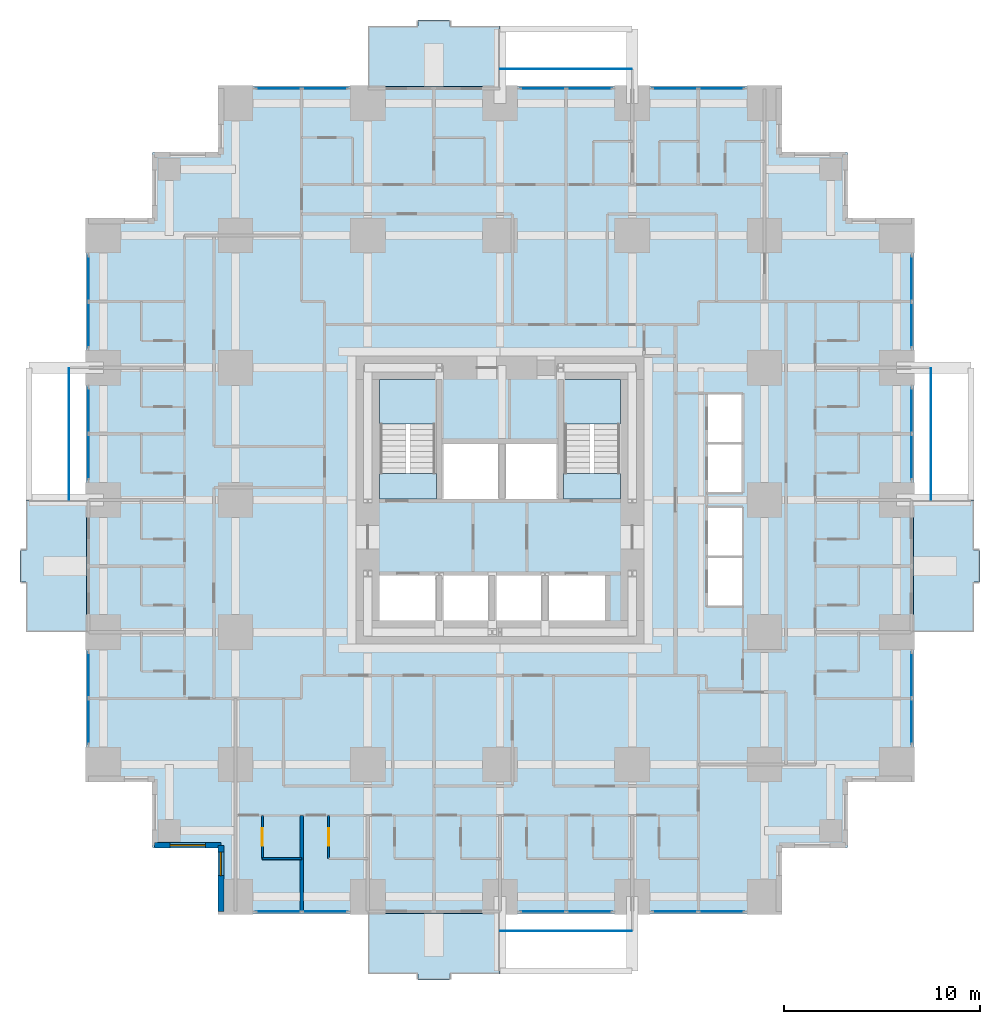
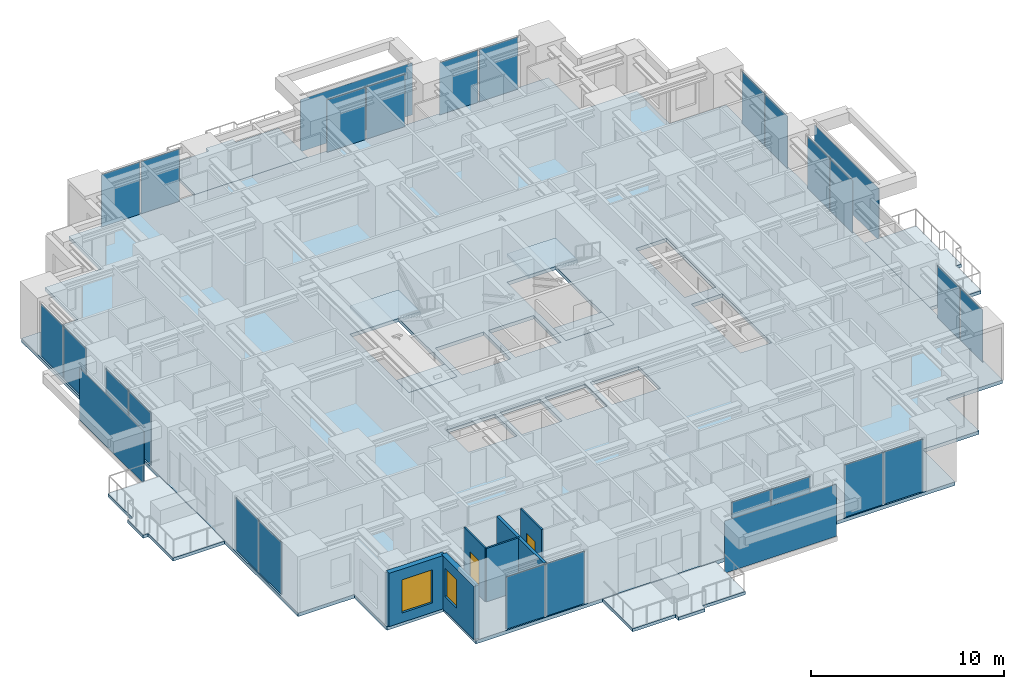
# One storey, part 7 of 15: 28 plates, 9 slabs, 6 walls, 2 doors, 2 windows, 4 openings, 14 elements without a shape of their own.
"""IFC4 building model written with IfcOpenShell, lengths in metres."""

import ifcopenshell
import ifcopenshell.guid

model = None  # the IFC model being written
_history = None  # IfcOwnerHistory: only IFC2X3 demands one
_inside = {}  # id of a spatial element -> (the spatial element, [elements in it])
_under = {}  # id of a project, library or spatial element -> (it, [spatial elements below it])
_declared = {}  # id of a project -> (the project, [libraries it declares])
_typed = {}  # id of a type object -> (the type object, [elements of that type])
_made_of = {}  # id of a material, layer set ... -> (it, [elements and type objects made of it])


def new_model(schema):
    """Start an empty IFC model of exactly this schema.

    Asked for "IFC4X3", IfcOpenShell would pick the latest addendum, in which some entities
    have other attributes; the version numbers below select the first issue.
    IFC2X3 requires an IfcOwnerHistory on every rooted entity: one is made here for all.
    """
    global model, _history
    if schema == "IFC4X3":
        model = ifcopenshell.file(schema_version=(4, 3, 0, 0))
    else:
        model = ifcopenshell.file(schema=schema)
    _inside.clear()
    _under.clear()
    _declared.clear()
    _typed.clear()
    _made_of.clear()
    _history = None
    if model.schema == "IFC2X3":
        org = make("IfcOrganization", Name="unknown")
        user = make(
            "IfcPersonAndOrganization",
            ThePerson=make("IfcPerson", FamilyName="unknown"),
            TheOrganization=org,
        )
        app = make(
            "IfcApplication",
            ApplicationDeveloper=org,
            Version="unknown",
            ApplicationFullName="unknown",
            ApplicationIdentifier="unknown",
        )
        _history = make(
            "IfcOwnerHistory",
            OwningUser=user,
            OwningApplication=app,
            ChangeAction="ADDED",
            CreationDate=0,
        )
    return model


def make(cls, **values):
    """One entity of the class cls with the attributes given. An attribute that is None is left unset."""
    return model.create_entity(
        cls, **{name: value for name, value in values.items() if value is not None}
    )


def rooted(cls, **values):
    """An entity with a GlobalId (a new one), such as an element, a storey or a relation."""
    return make(cls, GlobalId=ifcopenshell.guid.new(), OwnerHistory=_history, **values)


def si_unit(unit_type, name, prefix=None):
    """IfcSIUnit, for example si_unit("LENGTHUNIT", "METRE", prefix="MILLI")."""
    return make("IfcSIUnit", UnitType=unit_type, Prefix=prefix, Name=name)


def assignment(units):
    """IfcUnitAssignment: the units of a project."""
    return None if units is None else make("IfcUnitAssignment", Units=units)


def point(xyz):
    """IfcCartesianPoint."""
    return None if xyz is None else make("IfcCartesianPoint", Coordinates=xyz)


def direction(xyz):
    """IfcDirection."""
    return None if xyz is None else make("IfcDirection", DirectionRatios=xyz)


def frame(location, z_axis=None, x_axis=None):
    """IfcAxis2Placement3D, a coordinate frame: its origin and axes. An axis left out is left unset."""
    return make(
        "IfcAxis2Placement3D",
        Location=point(location),
        Axis=direction(z_axis),
        RefDirection=direction(x_axis),
    )


def frame_2d(location, x_axis=None):
    """IfcAxis2Placement2D, a coordinate frame in the plane: its origin and x axis."""
    return make(
        "IfcAxis2Placement2D", Location=point(location), RefDirection=direction(x_axis)
    )


def origin():
    """The frame at (0, 0, 0) with its axes left unset."""
    return frame((0.0, 0.0, 0.0))


def origin_2d():
    """The frame at (0, 0) in the plane with its x axis left unset."""
    return frame_2d((0.0, 0.0))


def place(relative_to, where):
    """IfcLocalPlacement: puts the frame where relative to a parent placement (None: the world)."""
    return make(
        "IfcLocalPlacement", PlacementRelTo=relative_to, RelativePlacement=where
    )


def context(
    kind, dimensions, precision=None, world=None, true_north=None, identifier=None
):
    """IfcGeometricRepresentationContext, for example the 3D "Model" context."""
    return make(
        "IfcGeometricRepresentationContext",
        ContextIdentifier=identifier,
        ContextType=kind,
        CoordinateSpaceDimension=dimensions,
        Precision=precision,
        WorldCoordinateSystem=world,
        TrueNorth=true_north,
    )


def subcontext(parent, identifier, kind, view, scale=None):
    """IfcGeometricRepresentationSubContext, for example "Body" below "Model"."""
    return make(
        "IfcGeometricRepresentationSubContext",
        ContextIdentifier=identifier,
        ContextType=kind,
        ParentContext=parent,
        TargetScale=scale,
        TargetView=view,
    )


def project(units=None, contexts=None):
    """IfcProject with its units and contexts."""
    return rooted(
        "IfcProject",
        Name="project",
        RepresentationContexts=contexts,
        UnitsInContext=assignment(units),
    )


def spatial(cls, under=None, at=None, **own):
    """A site, building, storey or space (cls), placed at a placement, below another one or the project."""
    s = rooted(cls, ObjectPlacement=at, **own)
    if under is not None:
        _under.setdefault(under.id(), (under, []))[1].append(s)
    return s


def polyline(points):
    """IfcPolyline through the points."""
    return make("IfcPolyline", Points=[point(p) for p in points])


def profile(cls, at=None, kind="AREA", **sizes):
    """A parametric profile (cls). Its sizes go by their IFC names, for example OverallWidth=200.0."""
    return make(cls, ProfileType=kind, Position=at, **sizes)


def rectangle(**sizes):
    """IfcRectangleProfileDef."""
    return profile("IfcRectangleProfileDef", **sizes)


def outline(outer, holes=None, kind="AREA"):
    """IfcArbitraryClosedProfileDef: a profile drawn as a closed curve; with holes, ...WithVoids."""
    if holes is None:
        return make("IfcArbitraryClosedProfileDef", ProfileType=kind, OuterCurve=outer)
    return make(
        "IfcArbitraryProfileDefWithVoids",
        ProfileType=kind,
        OuterCurve=outer,
        InnerCurves=holes,
    )


def extrude(swept, where, along, depth):
    """IfcExtrudedAreaSolid: the profile swept, set in the frame where, extruded along a direction by depth."""
    return make(
        "IfcExtrudedAreaSolid",
        SweptArea=swept,
        Position=where,
        ExtrudedDirection=direction(along),
        Depth=depth,
    )


def shape(context_of_items, identifier, shape_type, items):
    """IfcShapeRepresentation: the items that make up one representation, for example the "Body"."""
    return make(
        "IfcShapeRepresentation",
        ContextOfItems=context_of_items,
        RepresentationIdentifier=identifier,
        RepresentationType=shape_type,
        Items=items,
    )


def material(Name=None, Category=None):
    """IfcMaterial."""
    return make("IfcMaterial", Name=Name, Category=Category)


def layer(
    of_material, thickness, ventilated=None, Name=None, Category=None, Priority=None
):
    """IfcMaterialLayer: one layer of a wall or slab, of a material (None: an air gap)."""
    return make(
        "IfcMaterialLayer",
        Material=of_material,
        LayerThickness=thickness,
        IsVentilated=ventilated,
        Name=Name,
        Category=Category,
        Priority=Priority,
    )


def layer_set(layers, Name=None):
    """IfcMaterialLayerSet."""
    return make("IfcMaterialLayerSet", MaterialLayers=layers, LayerSetName=Name)


def made_of(thing, what):
    """Note that an element or type object is made of a material, layer set ...; save() writes the relation."""
    if what is not None:
        _made_of.setdefault(what.id(), (what, []))[1].append(thing)
    return thing


def type_object(cls, material=None, **own):
    """A type object (cls), such as IfcWallType, which elements share."""
    return made_of(rooted(cls, **own), material)


def element(
    cls,
    number,
    at=None,
    inside=None,
    cuts=None,
    type_object=None,
    material=None,
    context=None,
    identifier="Body",
    shape_type=None,
    held_by="IfcProductDefinitionShape",
    body=None,
    shapes=None,
    **own,
):
    """One element of the class cls, such as IfcWall. Its Tag is "e" and its number.

    at: its placement. inside: the storey or other place that contains it. cuts: it is an
    opening in that element (IfcRelVoidsElement). A single representation is given by context,
    identifier, shape_type and body (its items); several are given by shapes. held_by: the class
    of the entity that holds the representations. save() writes the other relations.
    """
    e = rooted(cls, Tag="e%d" % number, ObjectPlacement=at, **own)
    if body is not None:
        shapes = [shape(context, identifier, shape_type, body)]
    if shapes is not None:
        e.Representation = make(held_by, Representations=shapes)
    if inside is not None:
        _inside.setdefault(inside.id(), (inside, []))[1].append(e)
    if cuts is not None:
        rooted(
            "IfcRelVoidsElement", RelatingBuildingElement=cuts, RelatedOpeningElement=e
        )
    if type_object is not None:
        _typed.setdefault(type_object.id(), (type_object, []))[1].append(e)
    return made_of(e, material)


def fill(opening, filler):
    """IfcRelFillsElement: the door or window that sits in an opening."""
    return rooted(
        "IfcRelFillsElement",
        RelatingOpeningElement=opening,
        RelatedBuildingElement=filler,
    )


def aggregate(whole, parts):
    """IfcRelAggregates: a whole, such as a stair, and the parts it consists of."""
    return rooted("IfcRelAggregates", RelatingObject=whole, RelatedObjects=parts)


def save(model, path):
    """Write the relations noted so far, then the file.

    IfcRelAggregates (storeys below a building ...), IfcRelContainedInSpatialStructure (elements
    in a storey), IfcRelDefinesByType, IfcRelAssociatesMaterial and IfcRelDeclares: one each for
    every whole, place, type object, material and project.
    """
    for whole, parts in _under.values():
        aggregate(whole, parts)
    for where, things in _inside.values():
        rooted(
            "IfcRelContainedInSpatialStructure",
            RelatedElements=things,
            RelatingStructure=where,
        )
    for kind, things in _typed.values():
        rooted("IfcRelDefinesByType", RelatedObjects=things, RelatingType=kind)
    for what, things in _made_of.values():
        rooted("IfcRelAssociatesMaterial", RelatedObjects=things, RelatingMaterial=what)
    for by, libraries in _declared.values():
        rooted("IfcRelDeclares", RelatingContext=by, RelatedDefinitions=libraries)
    model.write(path)


model = new_model("IFC4")

# Units and contexts
model_context = context("Model", 3, precision=1e-05, world=origin(), true_north=direction((0.0, 1.0)))
body_context = subcontext(model_context, "Body", "Model", "MODEL_VIEW")
ifc_project = project(units=[si_unit("LENGTHUNIT", "METRE"), si_unit("AREAUNIT", "SQUARE_METRE"), si_unit("VOLUMEUNIT", "CUBIC_METRE"), si_unit("PLANEANGLEUNIT", "RADIAN"), si_unit("MASSUNIT", "GRAM", prefix="KILO")], contexts=[model_context])

# Site, building, storey
site_placement = place(None, origin())
site = spatial("IfcSite", under=ifc_project, at=site_placement, CompositionType="ELEMENT")
building_placement = place(site_placement, origin())
building = spatial("IfcBuilding", under=site, at=building_placement, Name="Nyansa Garden Tower", CompositionType="ELEMENT")
storey_placement = place(building_placement, frame((0.0, 0.0, 61.199951171875)))
storey = spatial("IfcBuildingStorey", under=building, at=storey_placement, Name="L16", CompositionType="ELEMENT", Elevation=61.199951171875)

# Slabs
ifc_material_1 = material(Name="Concrete C40/50", Category="concrete")
ifc_layer_1 = layer(ifc_material_1, 0.199951171875)
ifc_layer_set_1 = layer_set([ifc_layer_1], Name="Balcony slab BS200")
slab_type_1 = type_object("IfcSlabType", Name="Balcony slab BS200", PredefinedType="FLOOR", material=ifc_layer_set_1)
slab_1_placement = place(storey_placement, frame((0.0, 0.0, -0.239990234375)))
element("IfcSlab", 1, at=slab_1_placement, inside=storey, type_object=slab_type_1, Name="Balcony L16 S", PredefinedType="FLOOR", context=body_context, shape_type="SweptSolid", body=[
    extrude(outline(polyline([(13.5, -0.85009765625), (20.25, -0.85009765625), (20.25, -3.949951171875), (17.675048828125, -3.949951171875), (17.675048828125, -4.25), (16.074951171875, -4.25), (16.074951171875, -3.949951171875), (13.5, -3.949951171875), (13.5, -0.85009765625)])), origin(), (0.0, 0.0, 1.0), 0.199951171875),
])
slab_2_placement = place(storey_placement, frame((0.0, 0.0, -0.239990234375)))
element("IfcSlab", 2, at=slab_2_placement, inside=storey, type_object=slab_type_1, Name="Balcony L16 E", PredefinedType="FLOOR", context=body_context, shape_type="SweptSolid", body=[
    extrude(outline(polyline([(41.35009765625, 13.5), (41.35009765625, 20.25), (44.449951171875, 20.25), (44.449951171875, 17.675048828125), (44.75, 17.675048828125), (44.75, 16.074951171875), (44.449951171875, 16.074951171875), (44.449951171875, 13.5), (41.35009765625, 13.5)])), origin(), (0.0, 0.0, 1.0), 0.199951171875),
])
slab_3_placement = place(storey_placement, frame((0.0, 0.0, -0.239990234375)))
element("IfcSlab", 3, at=slab_3_placement, inside=storey, type_object=slab_type_1, Name="Balcony L16 N", PredefinedType="FLOOR", context=body_context, shape_type="SweptSolid", body=[
    extrude(outline(polyline([(13.5, 41.35009765625), (20.25, 41.35009765625), (20.25, 44.449951171875), (17.675048828125, 44.449951171875), (17.675048828125, 44.75), (16.074951171875, 44.75), (16.074951171875, 44.449951171875), (13.5, 44.449951171875), (13.5, 41.35009765625)])), origin(), (0.0, 0.0, 1.0), 0.199951171875),
])
slab_4_placement = place(storey_placement, frame((0.0, 0.0, -0.239990234375)))
element("IfcSlab", 4, at=slab_4_placement, inside=storey, type_object=slab_type_1, Name="Balcony L16 W", PredefinedType="FLOOR", context=body_context, shape_type="SweptSolid", body=[
    extrude(outline(polyline([(-0.85009765625, 13.5), (-0.85009765625, 20.25), (-3.949951171875, 20.25), (-3.949951171875, 17.675048828125), (-4.25, 17.675048828125), (-4.25, 16.074951171875), (-3.949951171875, 16.074951171875), (-3.949951171875, 13.5), (-0.85009765625, 13.5)])), origin(), (0.0, 0.0, 1.0), 0.199951171875),
])

# Curtain wall, plates
ifc_material_2 = material(Name="Black anodised aluminium, dark tinted double glazing", Category="aluminium")
curtain_wall_type = type_object("IfcCurtainWallType", Name="Inner skin curtain wall ISW-A", PredefinedType="USERDEFINED", material=ifc_material_2)
curtain_wall_1_placement = place(storey_placement, origin())
curtain_wall_1 = element("IfcCurtainWall", 5, at=curtain_wall_1_placement, inside=storey, type_object=curtain_wall_type, Name="Inner skin curtain wall L16 E", ObjectType="UNITISED CURTAIN WALL", PredefinedType="USERDEFINED")
ifc_material_3 = material(Name="Dark tinted laminated double glazing", Category="glass")
ifc_layer_2 = layer(ifc_material_3, 0.031982421875)
ifc_layer_set_2 = layer_set([ifc_layer_2], Name="Dark tinted vision panel VP-A")
plate_type_1 = type_object("IfcPlateType", Name="Dark tinted vision panel VP-A", PredefinedType="CURTAIN_PANEL", material=ifc_layer_set_2)
plate_1_placement = place(storey_placement, frame((41.25, 8.9375, 0.0), z_axis=(0.0, 0.0, 1.0), x_axis=(0.0, 1.0, 0.0)))
plate_1 = element("IfcPlate", 6, at=plate_1_placement, type_object=plate_type_1, Name="ISW-A panel 1", PredefinedType="CURTAIN_PANEL", context=body_context, shape_type="SweptSolid", body=[
    extrude(rectangle(XDim=2.31005859375, YDim=0.031982421875, at=origin_2d()), origin(), (0.0, 0.0, 1.0), 3.31005859375),
])
plate_2_placement = place(storey_placement, frame((41.25, 11.3125, 0.0), z_axis=(0.0, 0.0, 1.0), x_axis=(0.0, 1.0, 0.0)))
plate_2 = element("IfcPlate", 7, at=plate_2_placement, type_object=plate_type_1, Name="ISW-A panel 2", PredefinedType="CURTAIN_PANEL", context=body_context, shape_type="SweptSolid", body=[
    extrude(rectangle(XDim=2.31005859375, YDim=0.031982421875, at=origin_2d()), origin(), (0.0, 0.0, 1.0), 3.31005859375),
])
aggregate(curtain_wall_1, [plate_1, plate_2])

curtain_wall_2_placement = place(storey_placement, origin())
curtain_wall_2 = element("IfcCurtainWall", 8, at=curtain_wall_2_placement, inside=storey, type_object=curtain_wall_type, Name="Inner skin curtain wall L16 E", ObjectType="UNITISED CURTAIN WALL", PredefinedType="USERDEFINED")
plate_3_placement = place(storey_placement, frame((41.25, 22.4375, 0.0), z_axis=(0.0, 0.0, 1.0), x_axis=(0.0, 1.0, 0.0)))
plate_3 = element("IfcPlate", 9, at=plate_3_placement, type_object=plate_type_1, Name="ISW-A panel 1", PredefinedType="CURTAIN_PANEL", context=body_context, shape_type="SweptSolid", body=[
    extrude(rectangle(XDim=2.31005859375, YDim=0.031982421875, at=origin_2d()), origin(), (0.0, 0.0, 1.0), 3.31005859375),
])
plate_4_placement = place(storey_placement, frame((41.25, 24.8125, 0.0), z_axis=(0.0, 0.0, 1.0), x_axis=(0.0, 1.0, 0.0)))
plate_4 = element("IfcPlate", 10, at=plate_4_placement, type_object=plate_type_1, Name="ISW-A panel 2", PredefinedType="CURTAIN_PANEL", context=body_context, shape_type="SweptSolid", body=[
    extrude(rectangle(XDim=2.31005859375, YDim=0.031982421875, at=origin_2d()), origin(), (0.0, 0.0, 1.0), 3.31005859375),
])
aggregate(curtain_wall_2, [plate_3, plate_4])

curtain_wall_3_placement = place(storey_placement, origin())
curtain_wall_3 = element("IfcCurtainWall", 11, at=curtain_wall_3_placement, inside=storey, type_object=curtain_wall_type, Name="Inner skin curtain wall L16 E", ObjectType="UNITISED CURTAIN WALL", PredefinedType="USERDEFINED")
plate_5_placement = place(storey_placement, frame((41.25, 29.1875, 0.0), z_axis=(0.0, 0.0, 1.0), x_axis=(0.0, 1.0, 0.0)))
plate_5 = element("IfcPlate", 12, at=plate_5_placement, type_object=plate_type_1, Name="ISW-A panel 1", PredefinedType="CURTAIN_PANEL", context=body_context, shape_type="SweptSolid", body=[
    extrude(rectangle(XDim=2.31005859375, YDim=0.031982421875, at=origin_2d()), origin(), (0.0, 0.0, 1.0), 3.31005859375),
])
plate_6_placement = place(storey_placement, frame((41.25, 31.5625, 0.0), z_axis=(0.0, 0.0, 1.0), x_axis=(0.0, 1.0, 0.0)))
plate_6 = element("IfcPlate", 13, at=plate_6_placement, type_object=plate_type_1, Name="ISW-A panel 2", PredefinedType="CURTAIN_PANEL", context=body_context, shape_type="SweptSolid", body=[
    extrude(rectangle(XDim=2.31005859375, YDim=0.031982421875, at=origin_2d()), origin(), (0.0, 0.0, 1.0), 3.31005859375),
])
aggregate(curtain_wall_3, [plate_5, plate_6])

curtain_wall_4_placement = place(storey_placement, origin())
curtain_wall_4 = element("IfcCurtainWall", 14, at=curtain_wall_4_placement, inside=storey, type_object=curtain_wall_type, Name="Inner skin curtain wall L16 N", ObjectType="UNITISED CURTAIN WALL", PredefinedType="USERDEFINED")
plate_7_placement = place(storey_placement, frame((11.3125, 41.25, 0.0), z_axis=(0.0, 0.0, 1.0), x_axis=(-1.0, 0.0, 0.0)))
plate_7 = element("IfcPlate", 15, at=plate_7_placement, type_object=plate_type_1, Name="ISW-A panel 1", PredefinedType="CURTAIN_PANEL", context=body_context, shape_type="SweptSolid", body=[
    extrude(rectangle(XDim=2.31005859375, YDim=0.031982421875, at=origin_2d()), origin(), (0.0, 0.0, 1.0), 3.31005859375),
])
plate_8_placement = place(storey_placement, frame((8.9375, 41.25, 0.0), z_axis=(0.0, 0.0, 1.0), x_axis=(-1.0, 0.0, 0.0)))
plate_8 = element("IfcPlate", 16, at=plate_8_placement, type_object=plate_type_1, Name="ISW-A panel 2", PredefinedType="CURTAIN_PANEL", context=body_context, shape_type="SweptSolid", body=[
    extrude(rectangle(XDim=2.31005859375, YDim=0.031982421875, at=origin_2d()), origin(), (0.0, 0.0, 1.0), 3.31005859375),
])
aggregate(curtain_wall_4, [plate_7, plate_8])

curtain_wall_5_placement = place(storey_placement, origin())
curtain_wall_5 = element("IfcCurtainWall", 17, at=curtain_wall_5_placement, inside=storey, type_object=curtain_wall_type, Name="Inner skin curtain wall L16 N", ObjectType="UNITISED CURTAIN WALL", PredefinedType="USERDEFINED")
plate_9_placement = place(storey_placement, frame((31.5625, 41.25, 0.0), z_axis=(0.0, 0.0, 1.0), x_axis=(-1.0, 0.0, 0.0)))
plate_9 = element("IfcPlate", 18, at=plate_9_placement, type_object=plate_type_1, Name="ISW-A panel 1", PredefinedType="CURTAIN_PANEL", context=body_context, shape_type="SweptSolid", body=[
    extrude(rectangle(XDim=2.31005859375, YDim=0.031982421875, at=origin_2d()), origin(), (0.0, 0.0, 1.0), 3.31005859375),
])
plate_10_placement = place(storey_placement, frame((29.1875, 41.25, 0.0), z_axis=(0.0, 0.0, 1.0), x_axis=(-1.0, 0.0, 0.0)))
plate_10 = element("IfcPlate", 19, at=plate_10_placement, type_object=plate_type_1, Name="ISW-A panel 2", PredefinedType="CURTAIN_PANEL", context=body_context, shape_type="SweptSolid", body=[
    extrude(rectangle(XDim=2.31005859375, YDim=0.031982421875, at=origin_2d()), origin(), (0.0, 0.0, 1.0), 3.31005859375),
])
aggregate(curtain_wall_5, [plate_9, plate_10])

curtain_wall_6_placement = place(storey_placement, origin())
curtain_wall_6 = element("IfcCurtainWall", 20, at=curtain_wall_6_placement, inside=storey, type_object=curtain_wall_type, Name="Inner skin curtain wall L16 N", ObjectType="UNITISED CURTAIN WALL", PredefinedType="USERDEFINED")
plate_11_placement = place(storey_placement, frame((24.8125, 41.25, 0.0), z_axis=(0.0, 0.0, 1.0), x_axis=(-1.0, 0.0, 0.0)))
plate_11 = element("IfcPlate", 21, at=plate_11_placement, type_object=plate_type_1, Name="ISW-A panel 1", PredefinedType="CURTAIN_PANEL", context=body_context, shape_type="SweptSolid", body=[
    extrude(rectangle(XDim=2.31005859375, YDim=0.031982421875, at=origin_2d()), origin(), (0.0, 0.0, 1.0), 3.31005859375),
])
plate_12_placement = place(storey_placement, frame((22.4375, 41.25, 0.0), z_axis=(0.0, 0.0, 1.0), x_axis=(-1.0, 0.0, 0.0)))
plate_12 = element("IfcPlate", 22, at=plate_12_placement, type_object=plate_type_1, Name="ISW-A panel 2", PredefinedType="CURTAIN_PANEL", context=body_context, shape_type="SweptSolid", body=[
    extrude(rectangle(XDim=2.31005859375, YDim=0.031982421875, at=origin_2d()), origin(), (0.0, 0.0, 1.0), 3.31005859375),
])
aggregate(curtain_wall_6, [plate_11, plate_12])

curtain_wall_7_placement = place(storey_placement, origin())
curtain_wall_7 = element("IfcCurtainWall", 23, at=curtain_wall_7_placement, inside=storey, type_object=curtain_wall_type, Name="Inner skin curtain wall L16 W", ObjectType="UNITISED CURTAIN WALL", PredefinedType="USERDEFINED")
plate_13_placement = place(storey_placement, frame((-0.75, 11.3125, 0.0), z_axis=(0.0, 0.0, 1.0), x_axis=(0.0, -1.0, 0.0)))
plate_13 = element("IfcPlate", 24, at=plate_13_placement, type_object=plate_type_1, Name="ISW-A panel 1", PredefinedType="CURTAIN_PANEL", context=body_context, shape_type="SweptSolid", body=[
    extrude(rectangle(XDim=2.31005859375, YDim=0.031982421875, at=origin_2d()), origin(), (0.0, 0.0, 1.0), 3.31005859375),
])
plate_14_placement = place(storey_placement, frame((-0.75, 8.9375, 0.0), z_axis=(0.0, 0.0, 1.0), x_axis=(0.0, -1.0, 0.0)))
plate_14 = element("IfcPlate", 25, at=plate_14_placement, type_object=plate_type_1, Name="ISW-A panel 2", PredefinedType="CURTAIN_PANEL", context=body_context, shape_type="SweptSolid", body=[
    extrude(rectangle(XDim=2.31005859375, YDim=0.031982421875, at=origin_2d()), origin(), (0.0, 0.0, 1.0), 3.31005859375),
])
aggregate(curtain_wall_7, [plate_13, plate_14])

curtain_wall_8_placement = place(storey_placement, origin())
curtain_wall_8 = element("IfcCurtainWall", 26, at=curtain_wall_8_placement, inside=storey, type_object=curtain_wall_type, Name="Inner skin curtain wall L16 W", ObjectType="UNITISED CURTAIN WALL", PredefinedType="USERDEFINED")
plate_15_placement = place(storey_placement, frame((-0.75, 31.5625, 0.0), z_axis=(0.0, 0.0, 1.0), x_axis=(0.0, -1.0, 0.0)))
plate_15 = element("IfcPlate", 27, at=plate_15_placement, type_object=plate_type_1, Name="ISW-A panel 1", PredefinedType="CURTAIN_PANEL", context=body_context, shape_type="SweptSolid", body=[
    extrude(rectangle(XDim=2.31005859375, YDim=0.031982421875, at=origin_2d()), origin(), (0.0, 0.0, 1.0), 3.31005859375),
])
plate_16_placement = place(storey_placement, frame((-0.75, 29.1875, 0.0), z_axis=(0.0, 0.0, 1.0), x_axis=(0.0, -1.0, 0.0)))
plate_16 = element("IfcPlate", 28, at=plate_16_placement, type_object=plate_type_1, Name="ISW-A panel 2", PredefinedType="CURTAIN_PANEL", context=body_context, shape_type="SweptSolid", body=[
    extrude(rectangle(XDim=2.31005859375, YDim=0.031982421875, at=origin_2d()), origin(), (0.0, 0.0, 1.0), 3.31005859375),
])
aggregate(curtain_wall_8, [plate_15, plate_16])

curtain_wall_9_placement = place(storey_placement, origin())
curtain_wall_9 = element("IfcCurtainWall", 29, at=curtain_wall_9_placement, inside=storey, type_object=curtain_wall_type, Name="Inner skin curtain wall L16 W", ObjectType="UNITISED CURTAIN WALL", PredefinedType="USERDEFINED")
plate_17_placement = place(storey_placement, frame((-0.75, 24.8125, 0.0), z_axis=(0.0, 0.0, 1.0), x_axis=(0.0, -1.0, 0.0)))
plate_17 = element("IfcPlate", 30, at=plate_17_placement, type_object=plate_type_1, Name="ISW-A panel 1", PredefinedType="CURTAIN_PANEL", context=body_context, shape_type="SweptSolid", body=[
    extrude(rectangle(XDim=2.31005859375, YDim=0.031982421875, at=origin_2d()), origin(), (0.0, 0.0, 1.0), 3.31005859375),
])
plate_18_placement = place(storey_placement, frame((-0.75, 22.4375, 0.0), z_axis=(0.0, 0.0, 1.0), x_axis=(0.0, -1.0, 0.0)))
plate_18 = element("IfcPlate", 31, at=plate_18_placement, type_object=plate_type_1, Name="ISW-A panel 2", PredefinedType="CURTAIN_PANEL", context=body_context, shape_type="SweptSolid", body=[
    extrude(rectangle(XDim=2.31005859375, YDim=0.031982421875, at=origin_2d()), origin(), (0.0, 0.0, 1.0), 3.31005859375),
])
aggregate(curtain_wall_9, [plate_17, plate_18])

curtain_wall_10_placement = place(storey_placement, origin())
curtain_wall_10 = element("IfcCurtainWall", 32, at=curtain_wall_10_placement, inside=storey, type_object=curtain_wall_type, Name="Inner skin curtain wall L16 S", ObjectType="UNITISED CURTAIN WALL", PredefinedType="USERDEFINED")
plate_19_placement = place(storey_placement, frame((8.9375, -0.75, 0.0), z_axis=(0.0, 0.0, 1.0), x_axis=(1.0, 0.0, 0.0)))
plate_19 = element("IfcPlate", 33, at=plate_19_placement, type_object=plate_type_1, Name="ISW-A panel 1", PredefinedType="CURTAIN_PANEL", context=body_context, shape_type="SweptSolid", body=[
    extrude(rectangle(XDim=2.31005859375, YDim=0.031982421875, at=origin_2d()), origin(), (0.0, 0.0, 1.0), 3.31005859375),
])
plate_20_placement = place(storey_placement, frame((11.3125, -0.75, 0.0), z_axis=(0.0, 0.0, 1.0), x_axis=(1.0, 0.0, 0.0)))
plate_20 = element("IfcPlate", 34, at=plate_20_placement, type_object=plate_type_1, Name="ISW-A panel 2", PredefinedType="CURTAIN_PANEL", context=body_context, shape_type="SweptSolid", body=[
    extrude(rectangle(XDim=2.31005859375, YDim=0.031982421875, at=origin_2d()), origin(), (0.0, 0.0, 1.0), 3.31005859375),
])
aggregate(curtain_wall_10, [plate_19, plate_20])

curtain_wall_11_placement = place(storey_placement, origin())
curtain_wall_11 = element("IfcCurtainWall", 35, at=curtain_wall_11_placement, inside=storey, type_object=curtain_wall_type, Name="Inner skin curtain wall L16 S", ObjectType="UNITISED CURTAIN WALL", PredefinedType="USERDEFINED")
plate_21_placement = place(storey_placement, frame((22.4375, -0.75, 0.0), z_axis=(0.0, 0.0, 1.0), x_axis=(1.0, 0.0, 0.0)))
plate_21 = element("IfcPlate", 36, at=plate_21_placement, type_object=plate_type_1, Name="ISW-A panel 1", PredefinedType="CURTAIN_PANEL", context=body_context, shape_type="SweptSolid", body=[
    extrude(rectangle(XDim=2.31005859375, YDim=0.031982421875, at=origin_2d()), origin(), (0.0, 0.0, 1.0), 3.31005859375),
])
plate_22_placement = place(storey_placement, frame((24.8125, -0.75, 0.0), z_axis=(0.0, 0.0, 1.0), x_axis=(1.0, 0.0, 0.0)))
plate_22 = element("IfcPlate", 37, at=plate_22_placement, type_object=plate_type_1, Name="ISW-A panel 2", PredefinedType="CURTAIN_PANEL", context=body_context, shape_type="SweptSolid", body=[
    extrude(rectangle(XDim=2.31005859375, YDim=0.031982421875, at=origin_2d()), origin(), (0.0, 0.0, 1.0), 3.31005859375),
])
aggregate(curtain_wall_11, [plate_21, plate_22])

curtain_wall_12_placement = place(storey_placement, origin())
curtain_wall_12 = element("IfcCurtainWall", 38, at=curtain_wall_12_placement, inside=storey, type_object=curtain_wall_type, Name="Inner skin curtain wall L16 S", ObjectType="UNITISED CURTAIN WALL", PredefinedType="USERDEFINED")
plate_23_placement = place(storey_placement, frame((29.1875, -0.75, 0.0), z_axis=(0.0, 0.0, 1.0), x_axis=(1.0, 0.0, 0.0)))
plate_23 = element("IfcPlate", 39, at=plate_23_placement, type_object=plate_type_1, Name="ISW-A panel 1", PredefinedType="CURTAIN_PANEL", context=body_context, shape_type="SweptSolid", body=[
    extrude(rectangle(XDim=2.31005859375, YDim=0.031982421875, at=origin_2d()), origin(), (0.0, 0.0, 1.0), 3.31005859375),
])
plate_24_placement = place(storey_placement, frame((31.5625, -0.75, 0.0), z_axis=(0.0, 0.0, 1.0), x_axis=(1.0, 0.0, 0.0)))
plate_24 = element("IfcPlate", 40, at=plate_24_placement, type_object=plate_type_1, Name="ISW-A panel 2", PredefinedType="CURTAIN_PANEL", context=body_context, shape_type="SweptSolid", body=[
    extrude(rectangle(XDim=2.31005859375, YDim=0.031982421875, at=origin_2d()), origin(), (0.0, 0.0, 1.0), 3.31005859375),
])
aggregate(curtain_wall_12, [plate_23, plate_24])

# Slab
ifc_material_4 = material(Name="Concrete C40/50", Category="concrete")
ifc_layer_3 = layer(ifc_material_4, 0.22509765625)
ifc_layer_set_3 = layer_set([ifc_layer_3], Name="Floor slab FS225")
slab_type_2 = type_object("IfcSlabType", Name="Floor slab FS225", PredefinedType="FLOOR", material=ifc_layer_set_3)
slab_5_placement = place(storey_placement, frame((0.0, 0.0, -0.224853515625)))
element("IfcSlab", 41, at=slab_5_placement, inside=storey, type_object=slab_type_2, Name="Floor slab L16", PredefinedType="FLOOR", context=body_context, shape_type="SweptSolid", body=[
    extrude(outline(polyline([(41.35009765625, 5.89990234375), (37.97509765625, 5.89990234375), (37.97509765625, 2.52490234375), (34.60009765625, 2.52490234375), (34.60009765625, -0.85009765625), (5.89990234375, -0.85009765625), (5.89990234375, 2.52490234375), (2.52490234375, 2.52490234375), (2.52490234375, 5.89990234375), (-0.85009765625, 5.89990234375), (-0.85009765625, 34.60009765625), (2.52490234375, 34.60009765625), (2.52490234375, 37.97509765625), (5.89990234375, 37.97509765625), (5.89990234375, 41.35009765625), (34.60009765625, 41.35009765625), (34.60009765625, 37.97509765625), (37.97509765625, 37.97509765625), (37.97509765625, 34.60009765625), (41.35009765625, 34.60009765625), (41.35009765625, 5.89990234375)]), holes=[polyline([(14.10009765625, 14.10009765625), (17.0, 14.10009765625), (17.0, 16.39990234375), (14.10009765625, 16.39990234375), (14.10009765625, 14.10009765625)]), polyline([(17.300048828125, 14.10009765625), (19.699951171875, 14.10009765625), (19.699951171875, 16.39990234375), (17.300048828125, 16.39990234375), (17.300048828125, 14.10009765625)]), polyline([(20.0, 14.10009765625), (22.39990234375, 14.10009765625), (22.39990234375, 16.39990234375), (20.0, 16.39990234375), (20.0, 14.10009765625)]), polyline([(22.699951171875, 14.10009765625), (25.60009765625, 14.10009765625), (25.60009765625, 16.39990234375), (22.699951171875, 16.39990234375), (22.699951171875, 14.10009765625)]), polyline([(17.300048828125, 20.300048828125), (20.199951171875, 20.300048828125), (20.199951171875, 23.10009765625), (17.300048828125, 23.10009765625), (17.300048828125, 20.300048828125)]), polyline([(20.5, 20.300048828125), (23.199951171875, 20.300048828125), (23.199951171875, 23.10009765625), (20.5, 23.10009765625), (20.5, 20.300048828125)]), polyline([(30.800048828125, 14.800048828125), (32.64990234375, 14.800048828125), (32.64990234375, 19.89990234375), (30.800048828125, 19.89990234375), (30.800048828125, 14.800048828125)]), polyline([(30.800048828125, 20.60009765625), (32.64990234375, 20.60009765625), (32.64990234375, 25.699951171875), (30.800048828125, 25.699951171875), (30.800048828125, 20.60009765625)]), polyline([(14.10009765625, 20.300048828125), (17.0, 20.300048828125), (17.0, 26.39990234375), (14.10009765625, 26.39990234375), (14.10009765625, 20.300048828125)]), polyline([(23.5, 20.300048828125), (26.39990234375, 20.300048828125), (26.39990234375, 26.39990234375), (23.5, 26.39990234375), (23.5, 20.300048828125)])]), origin(), (0.0, 0.0, 1.0), 0.224853515625),
])

# Plates
ifc_material_5 = material(Name="Dark tinted laminated glass", Category="glass")
ifc_layer_4 = layer(ifc_material_5, 0.02392578125)
ifc_layer_set_4 = layer_set([ifc_layer_4], Name="Outer skin glass panel OS1")
plate_type_2 = type_object("IfcPlateType", Name="Outer skin glass panel OS1", PredefinedType="USERDEFINED", material=ifc_layer_set_4)
for number, where, z_axis, x_axis, name in (
    (42, (42.25, 23.625, -0.22509765625), (0.0, 0.0, 1.0), (0.0, 1.0, 0.0), "Outer skin glass panel L16"),
    (43, (23.625, 42.25, -0.22509765625), (0.0, 0.0, 1.0), (1.0, 0.0, 0.0), "Outer skin glass panel L16"),
    (44, (-1.75, 23.625, -0.22509765625), (0.0, 0.0, 1.0), (0.0, 1.0, 0.0), "Outer skin glass panel L16"),
    (45, (23.625, -1.75, -0.22509765625), (0.0, 0.0, 1.0), (1.0, 0.0, 0.0), "Outer skin glass panel L16"),
):
    element("IfcPlate", number, at=place(storey_placement, frame(where, z_axis=z_axis, x_axis=x_axis)), inside=storey, type_object=plate_type_2, Name=name, ObjectType="OUTER SKIN GLASS", PredefinedType="USERDEFINED", context=body_context, shape_type="SweptSolid", body=[
        extrude(rectangle(XDim=6.7099609375, YDim=0.02392578125, at=origin_2d()), origin(), (0.0, 0.0, 1.0), 3.300048828125),
    ])

# Stair, slabs
ifc_material_6 = material(Name="Precast concrete C40/50", Category="concrete")
stair_type_1 = type_object("IfcStairType", Name="Stair S1 180x280", PredefinedType="HALF_TURN_STAIR", material=ifc_material_6)
stair_1_placement = place(storey_placement, origin())
stair_1 = element("IfcStair", 46, at=stair_1_placement, inside=storey, type_object=stair_type_1, Name="Stair S1 L16", PredefinedType="HALF_TURN_STAIR")
ifc_material_7 = material(Name="Concrete C40/50", Category="concrete")
ifc_layer_5 = layer(ifc_material_7, 0.199951171875)
ifc_layer_set_5 = layer_set([ifc_layer_5], Name="Stair landing SL200")
slab_type_3 = type_object("IfcSlabType", Name="Stair landing SL200", PredefinedType="LANDING", material=ifc_layer_set_5)
slab_6_placement = place(storey_placement, frame((0.0, 0.0, -0.199951171875)))
slab_6 = element("IfcSlab", 47, at=slab_6_placement, type_object=slab_type_3, Name="S1 landing 1", PredefinedType="LANDING", context=body_context, shape_type="SweptSolid", body=[
    extrude(outline(polyline([(14.10009765625, 20.300048828125), (17.0, 20.300048828125), (17.0, 21.60009765625), (14.10009765625, 21.60009765625), (14.10009765625, 20.300048828125)])), origin(), (0.0, 0.0, 1.0), 0.199951171875),
])
slab_7_placement = place(storey_placement, frame((0.0, 0.0, 1.60009765625)))
slab_7 = element("IfcSlab", 48, at=slab_7_placement, type_object=slab_type_3, Name="S1 landing 2", PredefinedType="LANDING", context=body_context, shape_type="SweptSolid", body=[
    extrude(outline(polyline([(14.10009765625, 24.1201171875), (17.0, 24.1201171875), (17.0, 26.39990234375), (14.10009765625, 26.39990234375), (14.10009765625, 24.1201171875)])), origin(), (0.0, 0.0, 1.0), 0.199951171875),
])
aggregate(stair_1, [slab_6, slab_7])

ifc_material_8 = material(Name="Precast concrete C40/50", Category="concrete")
stair_type_2 = type_object("IfcStairType", Name="Stair S2 180x280", PredefinedType="HALF_TURN_STAIR", material=ifc_material_8)
stair_2_placement = place(storey_placement, origin())
stair_2 = element("IfcStair", 49, at=stair_2_placement, inside=storey, type_object=stair_type_2, Name="Stair S2 L16", PredefinedType="HALF_TURN_STAIR")
slab_8_placement = place(storey_placement, frame((0.0, 0.0, -0.199951171875)))
slab_8 = element("IfcSlab", 50, at=slab_8_placement, type_object=slab_type_3, Name="S2 landing 1", PredefinedType="LANDING", context=body_context, shape_type="SweptSolid", body=[
    extrude(outline(polyline([(23.5, 20.300048828125), (26.39990234375, 20.300048828125), (26.39990234375, 21.60009765625), (23.5, 21.60009765625), (23.5, 20.300048828125)])), origin(), (0.0, 0.0, 1.0), 0.199951171875),
])
slab_9_placement = place(storey_placement, frame((0.0, 0.0, 1.60009765625)))
slab_9 = element("IfcSlab", 51, at=slab_9_placement, type_object=slab_type_3, Name="S2 landing 2", PredefinedType="LANDING", context=body_context, shape_type="SweptSolid", body=[
    extrude(outline(polyline([(23.5, 24.1201171875), (26.39990234375, 24.1201171875), (26.39990234375, 26.39990234375), (23.5, 26.39990234375), (23.5, 24.1201171875)])), origin(), (0.0, 0.0, 1.0), 0.199951171875),
])
aggregate(stair_2, [slab_8, slab_9])

# Wall
ifc_material_9 = material(Name="Dense blockwork, plastered both sides, 55 dB", Category="masonry")
ifc_layer_6 = layer(ifc_material_9, 0.175048828125)
ifc_layer_set_6 = layer_set([ifc_layer_6], Name="Acoustic party wall PW175")
wall_type_1 = type_object("IfcWallType", Name="Acoustic party wall PW175", PredefinedType="PARTITIONING", material=ifc_layer_set_6)
wall_1_placement = place(storey_placement, frame((10.125, -0.73388671875, 0.0), z_axis=(0.0, 0.0, 1.0), x_axis=(0.0, 1.0, 0.0)))
element("IfcWall", 52, at=wall_1_placement, inside=storey, type_object=wall_type_1, Name="Party wall", PredefinedType="PARTITIONING", context=body_context, shape_type="SweptSolid", body=[
    extrude(rectangle(XDim=4.8837890625, YDim=0.175048828125, at=frame_2d((2.44189453125, 0.0))), origin(), (0.0, 0.0, 1.0), 3.375),
])

# Wall, opening, window
ifc_material_10 = material(Name="Turquoise glazed tile on concrete blockwork", Category="masonry")
ifc_layer_7 = layer(ifc_material_10, 0.300048828125)
ifc_layer_set_7 = layer_set([ifc_layer_7], Name="Tiled corner wall TW300")
wall_type_2 = type_object("IfcWallType", Name="Tiled corner wall TW300", PredefinedType="SOLIDWALL", material=ifc_layer_set_7)
wall_2_placement = place(storey_placement, frame((2.625, 2.625, 0.0), z_axis=(0.0, 0.0, 1.0), x_axis=(1.0, 0.0, 0.0)))
wall_2 = element("IfcWall", 53, at=wall_2_placement, inside=storey, type_object=wall_type_2, Name="Tiled corner wall L16", PredefinedType="SOLIDWALL", context=body_context, shape_type="SweptSolid", body=[
    extrude(rectangle(XDim=3.375, YDim=0.300048828125, at=frame_2d((1.6875, 0.0))), origin(), (0.0, 0.0, 1.0), 3.375),
])
opening_1_placement = place(wall_2_placement, frame((0.78759765625, 0.0, 0.60009765625)))
opening_1 = element("IfcOpeningElement", 54, at=opening_1_placement, cuts=wall_2, Name="Opening W2", PredefinedType="OPENING", context=body_context, shape_type="SweptSolid", body=[
    extrude(rectangle(XDim=1.800048828125, YDim=2.10009765625, at=frame_2d((0.89990234375, 1.050048828125))), frame((0.0, 0.159912109375, 0.0), z_axis=(0.0, -1.0, 0.0), x_axis=(1.0, 0.0, 0.0)), (0.0, 0.0, 1.0), 0.320068359375),
])
ifc_material_11 = material(Name="Black aluminium frame, dark tinted double glazing", Category="aluminium")
window_type_1 = type_object("IfcWindowType", Name="Window W2 1800x2100", PartitioningType="SINGLE_PANEL", PredefinedType="WINDOW", material=ifc_material_11)
window_1_placement = place(opening_1_placement, origin())
window_1 = element("IfcWindow", 55, at=window_1_placement, inside=storey, type_object=window_type_1, Name="Corner window L16", OverallHeight=2.10009765625, OverallWidth=1.800048828125, PartitioningType="SINGLE_PANEL", PredefinedType="WINDOW", context=body_context, shape_type="SweptSolid", body=[
    extrude(rectangle(XDim=1.800048828125, YDim=2.10009765625, at=frame_2d((0.89990234375, 1.050048828125))), frame((0.0, 0.030029296875, 0.0), z_axis=(0.0, -1.0, 0.0), x_axis=(1.0, 0.0, 0.0)), (0.0, 0.0, 1.0), 0.06005859375),
])
fill(opening_1, window_1)

wall_3_placement = place(storey_placement, frame((6.0, 2.625, 0.0), z_axis=(0.0, 0.0, 1.0), x_axis=(0.0, -1.0, 0.0)))
wall_3 = element("IfcWall", 56, at=wall_3_placement, inside=storey, type_object=wall_type_2, Name="Tiled corner wall L16", PredefinedType="SOLIDWALL", context=body_context, shape_type="SweptSolid", body=[
    extrude(rectangle(XDim=3.375, YDim=0.300048828125, at=frame_2d((1.6875, 0.0))), origin(), (0.0, 0.0, 1.0), 3.375),
])
opening_2_placement = place(wall_3_placement, frame((0.342529296875, 0.0, 0.89990234375)))
opening_2 = element("IfcOpeningElement", 57, at=opening_2_placement, cuts=wall_3, Name="Opening W4", PredefinedType="OPENING", context=body_context, shape_type="SweptSolid", body=[
    extrude(rectangle(XDim=1.199951171875, YDim=1.800048828125, at=frame_2d((0.60009765625, 0.89990234375))), frame((0.0, 0.159912109375, 0.0), z_axis=(0.0, -1.0, 0.0), x_axis=(1.0, 0.0, 0.0)), (0.0, 0.0, 1.0), 0.320068359375),
])
ifc_material_12 = material(Name="Black aluminium frame, dark tinted double glazing", Category="aluminium")
window_type_2 = type_object("IfcWindowType", Name="Window W4 1200x1800", PartitioningType="SINGLE_PANEL", PredefinedType="WINDOW", material=ifc_material_12)
window_2_placement = place(opening_2_placement, origin())
window_2 = element("IfcWindow", 58, at=window_2_placement, inside=storey, type_object=window_type_2, Name="Corner window L16", OverallHeight=1.800048828125, OverallWidth=1.199951171875, PartitioningType="SINGLE_PANEL", PredefinedType="WINDOW", context=body_context, shape_type="SweptSolid", body=[
    extrude(rectangle(XDim=1.199951171875, YDim=1.800048828125, at=frame_2d((0.60009765625, 0.89990234375))), frame((0.0, 0.030029296875, 0.0), z_axis=(0.0, -1.0, 0.0), x_axis=(1.0, 0.0, 0.0)), (0.0, 0.0, 1.0), 0.06005859375),
])
fill(opening_2, window_2)

# Wall, opening, door
ifc_material_13 = material(Name="Moisture resistant board on steel studs, tiled", Category="steel")
ifc_layer_8 = layer(ifc_material_13, 0.10009765625)
ifc_layer_set_8 = layer_set([ifc_layer_8], Name="Wet wall PW100")
wall_type_3 = type_object("IfcWallType", Name="Wet wall PW100", PredefinedType="PARTITIONING", material=ifc_layer_set_8)
wall_4_placement = place(storey_placement, frame((8.125, 1.949951171875, 0.0), z_axis=(0.0, 0.0, 1.0), x_axis=(0.0, 1.0, 0.0)))
wall_4 = element("IfcWall", 59, at=wall_4_placement, inside=storey, type_object=wall_type_3, Name="Wet wall", PredefinedType="PARTITIONING", context=body_context, shape_type="SweptSolid", body=[
    extrude(rectangle(XDim=2.199951171875, YDim=0.10009765625, at=frame_2d((1.10009765625, 0.0))), origin(), (0.0, 0.0, 1.0), 3.375),
])
opening_3_placement = place(wall_4_placement, frame((0.64990234375, 0.0, 0.0)))
opening_3 = element("IfcOpeningElement", 60, at=opening_3_placement, cuts=wall_4, Name="Opening D02", PredefinedType="OPENING", context=body_context, shape_type="SweptSolid", body=[
    extrude(rectangle(XDim=0.89990234375, YDim=2.199951171875, at=frame_2d((0.449951171875, 1.10009765625))), frame((0.0, 0.06005859375, 0.0), z_axis=(0.0, -1.0, 0.0), x_axis=(1.0, 0.0, 0.0)), (0.0, 0.0, 1.0), 0.1201171875),
])
ifc_material_14 = material(Name="Timber flush door", Category="wood")
door_type = type_object("IfcDoorType", Name="En-suite door D02 900x2200", OperationType="SINGLE_SWING_RIGHT", PredefinedType="DOOR", material=ifc_material_14)
door_1_placement = place(opening_3_placement, origin())
door_1 = element("IfcDoor", 61, at=door_1_placement, inside=storey, type_object=door_type, Name="Door L16-019", OperationType="SINGLE_SWING_RIGHT", OverallHeight=2.199951171875, OverallWidth=0.89990234375, PredefinedType="DOOR", context=body_context, shape_type="SweptSolid", body=[
    extrude(rectangle(XDim=0.89990234375, YDim=2.199951171875, at=frame_2d((0.449951171875, 1.10009765625))), frame((0.0, 0.02490234375, 0.0), z_axis=(0.0, -1.0, 0.0), x_axis=(1.0, 0.0, 0.0)), (0.0, 0.0, 1.0), 0.050048828125),
])
fill(opening_3, door_1)

# Wall
wall_5_placement = place(storey_placement, frame((8.125, 1.949951171875, 0.0), z_axis=(0.0, 0.0, 1.0), x_axis=(1.0, 0.0, 0.0)))
element("IfcWall", 62, at=wall_5_placement, inside=storey, type_object=wall_type_3, Name="Wet wall", PredefinedType="PARTITIONING", context=body_context, shape_type="SweptSolid", body=[
    extrude(rectangle(XDim=2.0, YDim=0.10009765625, at=frame_2d((1.0, 0.0))), origin(), (0.0, 0.0, 1.0), 3.375),
])

# Wall, opening, door
wall_6_placement = place(storey_placement, frame((11.5, 1.949951171875, 0.0), z_axis=(0.0, 0.0, 1.0), x_axis=(0.0, 1.0, 0.0)))
wall_6 = element("IfcWall", 63, at=wall_6_placement, inside=storey, type_object=wall_type_3, Name="Wet wall", PredefinedType="PARTITIONING", context=body_context, shape_type="SweptSolid", body=[
    extrude(rectangle(XDim=2.199951171875, YDim=0.10009765625, at=frame_2d((1.10009765625, 0.0))), origin(), (0.0, 0.0, 1.0), 3.375),
])
opening_4_placement = place(wall_6_placement, frame((0.64990234375, 0.0, 0.0)))
opening_4 = element("IfcOpeningElement", 64, at=opening_4_placement, cuts=wall_6, Name="Opening D02", PredefinedType="OPENING", context=body_context, shape_type="SweptSolid", body=[
    extrude(rectangle(XDim=0.89990234375, YDim=2.199951171875, at=frame_2d((0.449951171875, 1.10009765625))), frame((0.0, 0.06005859375, 0.0), z_axis=(0.0, -1.0, 0.0), x_axis=(1.0, 0.0, 0.0)), (0.0, 0.0, 1.0), 0.1201171875),
])
door_2_placement = place(opening_4_placement, origin())
door_2 = element("IfcDoor", 65, at=door_2_placement, inside=storey, type_object=door_type, Name="Door L16-021", OperationType="SINGLE_SWING_RIGHT", OverallHeight=2.199951171875, OverallWidth=0.89990234375, PredefinedType="DOOR", context=body_context, shape_type="SweptSolid", body=[
    extrude(rectangle(XDim=0.89990234375, YDim=2.199951171875, at=frame_2d((0.449951171875, 1.10009765625))), frame((0.0, 0.02490234375, 0.0), z_axis=(0.0, -1.0, 0.0), x_axis=(1.0, 0.0, 0.0)), (0.0, 0.0, 1.0), 0.050048828125),
])
fill(opening_4, door_2)

save(model, "model.ifc")
